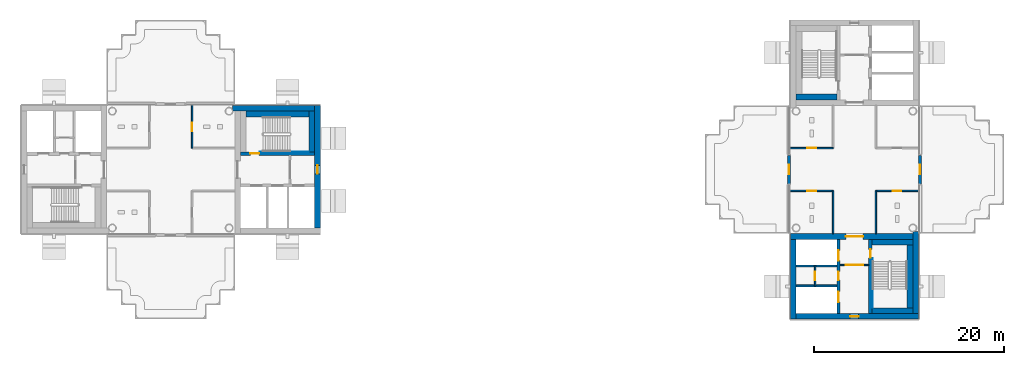
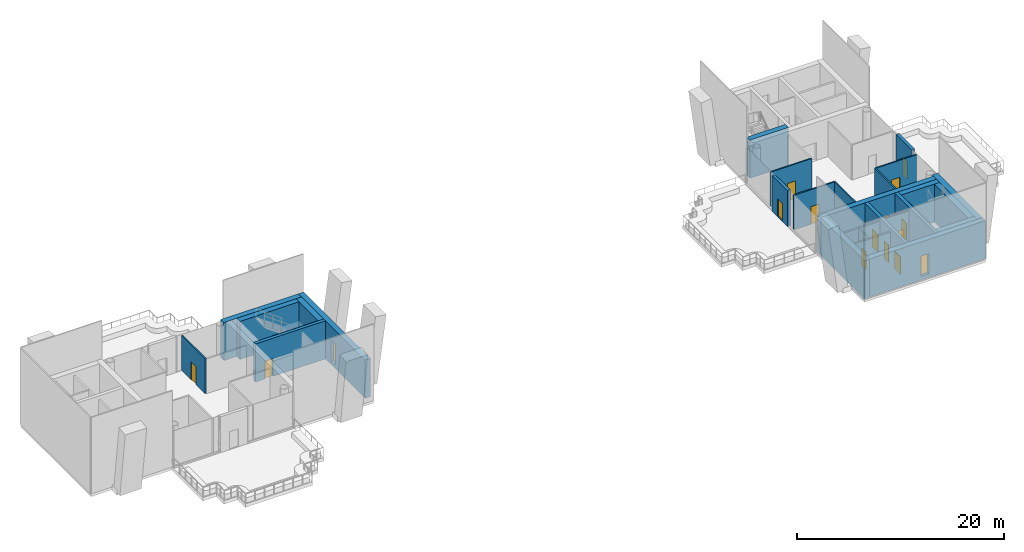
# One storey, part 8 of 17: 29 walls, 14 doors, 2 windows, 16 openings.
"""IFC4 building model written with IfcOpenShell, lengths in metres."""

from ifc_helpers import new_model, si_unit, direction, frame, frame_2d, origin, place, context, subcontext, project, spatial, rectangle, extrude, material, layer, layer_set, type_object, element, fill, save


model = new_model("IFC4")

# Units and contexts
model_context = context("Model", 3, precision=1e-05, world=origin(), true_north=direction((0.0, 1.0)))
body_context = subcontext(model_context, "Body", "Model", "MODEL_VIEW")
ifc_project = project(units=[si_unit("LENGTHUNIT", "METRE"), si_unit("AREAUNIT", "SQUARE_METRE"), si_unit("VOLUMEUNIT", "CUBIC_METRE"), si_unit("PLANEANGLEUNIT", "RADIAN"), si_unit("MASSUNIT", "GRAM", prefix="KILO")], contexts=[model_context])

# Site, building, storey
site_placement = place(None, origin())
site = spatial("IfcSite", under=ifc_project, at=site_placement, CompositionType="ELEMENT")
building_placement = place(site_placement, origin())
building = spatial("IfcBuilding", under=site, at=building_placement, Name="Ipe Terrace Towers", CompositionType="ELEMENT")
storey_placement = place(building_placement, frame((0.0, 0.0, 246.89990234375)))
storey = spatial("IfcBuildingStorey", under=building, at=storey_placement, Name="L68", CompositionType="ELEMENT", Elevation=246.89990234375)

# Wall, opening, door
ifc_material_1 = material(Name="Concrete C40/50 with buff precast cladding", Category="concrete")
ifc_layer_1 = layer(ifc_material_1, 0.320068359375)
ifc_layer_set_1 = layer_set([ifc_layer_1], Name="BUFF CLADDING WALL 320")
wall_type_1 = type_object("IfcWallType", Name="BUFF CLADDING WALL 320", PredefinedType="STANDARD", material=ifc_layer_set_1)
wall_1_placement = place(storey_placement, frame((42.909912109375, -1.5, -0.02001953125), z_axis=(0.0, 0.0, 1.0), x_axis=(0.0, 1.0, 0.0)))
wall_1 = element("IfcWall", 1, at=wall_1_placement, inside=storey, type_object=wall_type_1, Name="T2-W-L68-00c wall", PredefinedType="STANDARD", context=body_context, shape_type="SweptSolid", body=[
    extrude(rectangle(XDim=3.0, YDim=0.320068359375, at=frame_2d((1.5, 0.0))), origin(), (0.0, 0.0, 1.0), 4.22021484375),
])
opening_1_placement = place(wall_1_placement, frame((1.0, 0.0, 0.02001953125)))
opening_1 = element("IfcOpeningElement", 2, at=opening_1_placement, cuts=wall_1, Name="Opening T2-D-L68-00", PredefinedType="OPENING", context=body_context, shape_type="SweptSolid", body=[
    extrude(rectangle(XDim=1.0, YDim=2.10009765625, at=frame_2d((0.5, 1.050048828125))), frame((0.0, 0.169921875, 0.0), z_axis=(0.0, -1.0, 0.0), x_axis=(1.0, 0.0, 0.0)), (0.0, 0.0, 1.0), 0.340087890625),
])
ifc_material_2 = material(Name="Aluminium alloy 6063-T6 framed glazed door", Category="aluminium")
door_type_1 = type_object("IfcDoorType", Name="TERRACE DOOR 1000 x 2100", OperationType="SINGLE_SWING_LEFT", PredefinedType="DOOR", material=ifc_material_2)
door_1_placement = place(opening_1_placement, origin())
door_1 = element("IfcDoor", 3, at=door_1_placement, inside=storey, type_object=door_type_1, Name="DT1 door", OperationType="SINGLE_SWING_LEFT", OverallHeight=2.10009765625, OverallWidth=1.0, PredefinedType="DOOR", context=body_context, shape_type="SweptSolid", body=[
    extrude(rectangle(XDim=1.0, YDim=2.10009765625, at=frame_2d((0.5, 1.050048828125))), frame((0.0, 0.02490234375, 0.0), z_axis=(0.0, -1.0, 0.0), x_axis=(1.0, 0.0, 0.0)), (0.0, 0.0, 1.0), 0.050048828125),
])
fill(opening_1, door_1)

wall_2_placement = place(storey_placement, frame((29.090087890625, 1.5, -0.02001953125), z_axis=(0.0, 0.0, 1.0), x_axis=(0.0, -1.0, 0.0)))
wall_2 = element("IfcWall", 4, at=wall_2_placement, inside=storey, type_object=wall_type_1, Name="T2-W-L68-02c wall", PredefinedType="STANDARD", context=body_context, shape_type="SweptSolid", body=[
    extrude(rectangle(XDim=3.0, YDim=0.320068359375, at=frame_2d((1.5, 0.0))), origin(), (0.0, 0.0, 1.0), 4.22021484375),
])
opening_2_placement = place(wall_2_placement, frame((1.0, 0.0, 0.02001953125)))
opening_2 = element("IfcOpeningElement", 5, at=opening_2_placement, cuts=wall_2, Name="Opening T2-D-L68-02", PredefinedType="OPENING", context=body_context, shape_type="SweptSolid", body=[
    extrude(rectangle(XDim=1.0, YDim=2.10009765625, at=frame_2d((0.5, 1.050048828125))), frame((0.0, 0.169921875, 0.0), z_axis=(0.0, -1.0, 0.0), x_axis=(1.0, 0.0, 0.0)), (0.0, 0.0, 1.0), 0.340087890625),
])
door_2_placement = place(opening_2_placement, origin())
door_2 = element("IfcDoor", 6, at=door_2_placement, inside=storey, type_object=door_type_1, Name="DT1 door", OperationType="SINGLE_SWING_LEFT", OverallHeight=2.10009765625, OverallWidth=1.0, PredefinedType="DOOR", context=body_context, shape_type="SweptSolid", body=[
    extrude(rectangle(XDim=1.0, YDim=2.10009765625, at=frame_2d((0.5, 1.050048828125))), frame((0.0, 0.02490234375, 0.0), z_axis=(0.0, -1.0, 0.0), x_axis=(1.0, 0.0, 0.0)), (0.0, 0.0, 1.0), 0.050048828125),
])
fill(opening_2, door_2)

ifc_material_3 = material(Name="Gypsum board partition", Category="plasterboard")
ifc_layer_2 = layer(ifc_material_3, 0.14990234375)
ifc_layer_set_2 = layer_set([ifc_layer_2], Name="Gypsum board partition 150 mm")
wall_type_2 = type_object("IfcWallType", Name="Gypsum board partition 150 mm", PredefinedType="PARTITIONING", material=ifc_layer_set_2)
wall_3_placement = place(storey_placement, frame((-33.75, 2.25, 0.0), z_axis=(0.0, 0.0, 1.0), x_axis=(0.0, 1.0, 0.0)))
wall_3 = element("IfcWall", 7, at=wall_3_placement, inside=storey, type_object=wall_type_2, Name="Gypsum board partition T1 L68 sp-cne-x", PredefinedType="PARTITIONING", context=body_context, shape_type="SweptSolid", body=[
    extrude(rectangle(XDim=4.60009765625, YDim=0.14990234375, at=frame_2d((2.300048828125, 0.0))), origin(), (0.0, 0.0, 1.0), 4.10009765625),
])
opening_3_placement = place(wall_3_placement, frame((1.800048828125, 0.0, 0.0)))
opening_3 = element("IfcOpeningElement", 8, at=opening_3_placement, cuts=wall_3, Name="Opening T1-SP-CNE", PredefinedType="OPENING", context=body_context, shape_type="SweptSolid", body=[
    extrude(rectangle(XDim=0.89990234375, YDim=2.10009765625, at=frame_2d((0.449951171875, 1.050048828125))), frame((0.0, 0.0849609375, 0.0), z_axis=(0.0, -1.0, 0.0), x_axis=(1.0, 0.0, 0.0)), (0.0, 0.0, 1.0), 0.169921875),
])
ifc_material_4 = material(Name="Timber door leaf", Category="wood")
door_type_2 = type_object("IfcDoorType", Name="Bathroom door 900 x 2100", OperationType="NOTDEFINED", PredefinedType="DOOR", material=ifc_material_4)
door_3_placement = place(opening_3_placement, origin())
door_3 = element("IfcDoor", 9, at=door_3_placement, inside=storey, type_object=door_type_2, Name="Bathroom door T1-SP-CNE", OperationType="SINGLE_SWING_RIGHT", OverallHeight=2.10009765625, OverallWidth=0.89990234375, PredefinedType="DOOR", context=body_context, shape_type="SweptSolid", body=[
    extrude(rectangle(XDim=0.89990234375, YDim=2.10009765625, at=frame_2d((0.449951171875, 1.050048828125))), frame((0.0, 0.02490234375, 0.0), z_axis=(0.0, -1.0, 0.0), x_axis=(1.0, 0.0, 0.0)), (0.0, 0.0, 1.0), 0.050048828125),
])
fill(opening_3, door_3)

wall_4_placement = place(storey_placement, frame((34.5, -10.050048828125, 0.0), z_axis=(0.0, 0.0, 1.0), x_axis=(1.0, 0.0, 0.0)))
wall_4 = element("IfcWall", 10, at=wall_4_placement, inside=storey, type_object=wall_type_2, Name="Gypsum board partition T2 L68 t2c2-lobby-wall", PredefinedType="PARTITIONING", context=body_context, shape_type="SweptSolid", body=[
    extrude(rectangle(XDim=3.0, YDim=0.14990234375, at=frame_2d((1.5, 0.0))), origin(), (0.0, 0.0, 1.0), 4.10009765625),
])
opening_4_placement = place(wall_4_placement, frame((0.60009765625, 0.0, 0.0)))
opening_4 = element("IfcOpeningElement", 11, at=opening_4_placement, cuts=wall_4, Name="Opening T2C2-VD", PredefinedType="OPENING", context=body_context, shape_type="SweptSolid", body=[
    extrude(rectangle(XDim=1.800048828125, YDim=2.10009765625, at=frame_2d((0.89990234375, 1.050048828125))), frame((0.0, 0.0849609375, 0.0), z_axis=(0.0, -1.0, 0.0), x_axis=(1.0, 0.0, 0.0)), (0.0, 0.0, 1.0), 0.169921875),
])
ifc_material_5 = material(Name="Fire-rated timber door leaf", Category="wood")
door_type_3 = type_object("IfcDoorType", Name="Lobby door 1800 x 2100 FD60", OperationType="NOTDEFINED", PredefinedType="DOOR", material=ifc_material_5)
door_4_placement = place(opening_4_placement, origin())
door_4 = element("IfcDoor", 12, at=door_4_placement, inside=storey, type_object=door_type_3, Name="Lobby door T2C2-VD", OperationType="SINGLE_SWING_LEFT", OverallHeight=2.10009765625, OverallWidth=1.800048828125, PredefinedType="DOOR", context=body_context, shape_type="SweptSolid", body=[
    extrude(rectangle(XDim=1.800048828125, YDim=2.10009765625, at=frame_2d((0.89990234375, 1.050048828125))), frame((0.0, 0.02490234375, 0.0), z_axis=(0.0, -1.0, 0.0), x_axis=(1.0, 0.0, 0.0)), (0.0, 0.0, 1.0), 0.050048828125),
])
fill(opening_4, door_4)

wall_5_placement = place(storey_placement, frame((31.85009765625, -10.14990234375, 0.0), z_axis=(0.0, 0.0, 1.0), x_axis=(0.0, -1.0, 0.0)))
wall_5 = element("IfcWall", 13, at=wall_5_placement, inside=storey, type_object=wall_type_2, Name="Gypsum board partition T2 L68 t2c2-q-back", PredefinedType="PARTITIONING", context=body_context, shape_type="SweptSolid", body=[
    extrude(rectangle(XDim=2.10009765625, YDim=0.14990234375, at=frame_2d((1.050048828125, 0.0))), origin(), (0.0, 0.0, 1.0), 4.10009765625),
])
opening_5_placement = place(wall_5_placement, frame((0.60009765625, 0.0, 0.0)))
opening_5 = element("IfcOpeningElement", 14, at=opening_5_placement, cuts=wall_5, Name="Opening T2C2-RB", PredefinedType="OPENING", context=body_context, shape_type="SweptSolid", body=[
    extrude(rectangle(XDim=0.89990234375, YDim=2.10009765625, at=frame_2d((0.449951171875, 1.050048828125))), frame((0.0, 0.0849609375, 0.0), z_axis=(0.0, -1.0, 0.0), x_axis=(1.0, 0.0, 0.0)), (0.0, 0.0, 1.0), 0.169921875),
])
ifc_material_6 = material(Name="Fire-rated timber door leaf", Category="wood")
door_type_4 = type_object("IfcDoorType", Name="Service door 900 x 2100 FD60", OperationType="NOTDEFINED", PredefinedType="DOOR", material=ifc_material_6)
door_5_placement = place(opening_5_placement, origin())
door_5 = element("IfcDoor", 15, at=door_5_placement, inside=storey, type_object=door_type_4, Name="Service door T2C2-RB", OperationType="SINGLE_SWING_LEFT", OverallHeight=2.10009765625, OverallWidth=0.89990234375, PredefinedType="DOOR", context=body_context, shape_type="SweptSolid", body=[
    extrude(rectangle(XDim=0.89990234375, YDim=2.10009765625, at=frame_2d((0.449951171875, 1.050048828125))), frame((0.0, 0.02490234375, 0.0), z_axis=(0.0, -1.0, 0.0), x_axis=(1.0, 0.0, 0.0)), (0.0, 0.0, 1.0), 0.050048828125),
])
fill(opening_5, door_5)

wall_6_placement = place(storey_placement, frame((33.75, 2.25, 0.0), z_axis=(0.0, 0.0, 1.0), x_axis=(-1.0, 0.0, 0.0)))
wall_6 = element("IfcWall", 16, at=wall_6_placement, inside=storey, type_object=wall_type_2, Name="Gypsum board partition T2 L68 sp-cne-x", PredefinedType="PARTITIONING", context=body_context, shape_type="SweptSolid", body=[
    extrude(rectangle(XDim=4.60009765625, YDim=0.14990234375, at=frame_2d((2.300048828125, 0.0))), origin(), (0.0, 0.0, 1.0), 4.10009765625),
])
opening_6_placement = place(wall_6_placement, frame((1.800048828125, 0.0, 0.0)))
opening_6 = element("IfcOpeningElement", 17, at=opening_6_placement, cuts=wall_6, Name="Opening T2-SP-CNE", PredefinedType="OPENING", context=body_context, shape_type="SweptSolid", body=[
    extrude(rectangle(XDim=0.89990234375, YDim=2.10009765625, at=frame_2d((0.449951171875, 1.050048828125))), frame((0.0, 0.0849609375, 0.0), z_axis=(0.0, -1.0, 0.0), x_axis=(1.0, 0.0, 0.0)), (0.0, 0.0, 1.0), 0.169921875),
])
door_6_placement = place(opening_6_placement, origin())
door_6 = element("IfcDoor", 18, at=door_6_placement, inside=storey, type_object=door_type_2, Name="Bathroom door T2-SP-CNE", OperationType="SINGLE_SWING_RIGHT", OverallHeight=2.10009765625, OverallWidth=0.89990234375, PredefinedType="DOOR", context=body_context, shape_type="SweptSolid", body=[
    extrude(rectangle(XDim=0.89990234375, YDim=2.10009765625, at=frame_2d((0.449951171875, 1.050048828125))), frame((0.0, 0.02490234375, 0.0), z_axis=(0.0, -1.0, 0.0), x_axis=(1.0, 0.0, 0.0)), (0.0, 0.0, 1.0), 0.050048828125),
])
fill(opening_6, door_6)

wall_7_placement = place(storey_placement, frame((33.75, -2.25, 0.0), z_axis=(0.0, 0.0, 1.0), x_axis=(-1.0, 0.0, 0.0)))
wall_7 = element("IfcWall", 19, at=wall_7_placement, inside=storey, type_object=wall_type_2, Name="Gypsum board partition T2 L68 sp-cnw-x", PredefinedType="PARTITIONING", context=body_context, shape_type="SweptSolid", body=[
    extrude(rectangle(XDim=4.60009765625, YDim=0.14990234375, at=frame_2d((2.300048828125, 0.0))), origin(), (0.0, 0.0, 1.0), 4.10009765625),
])
opening_7_placement = place(wall_7_placement, frame((1.800048828125, 0.0, 0.0)))
opening_7 = element("IfcOpeningElement", 20, at=opening_7_placement, cuts=wall_7, Name="Opening T2-SP-CNW", PredefinedType="OPENING", context=body_context, shape_type="SweptSolid", body=[
    extrude(rectangle(XDim=0.89990234375, YDim=2.10009765625, at=frame_2d((0.449951171875, 1.050048828125))), frame((0.0, 0.0849609375, 0.0), z_axis=(0.0, -1.0, 0.0), x_axis=(1.0, 0.0, 0.0)), (0.0, 0.0, 1.0), 0.169921875),
])
door_7_placement = place(opening_7_placement, origin())
door_7 = element("IfcDoor", 21, at=door_7_placement, inside=storey, type_object=door_type_2, Name="Bathroom door T2-SP-CNW", OperationType="SINGLE_SWING_LEFT", OverallHeight=2.10009765625, OverallWidth=0.89990234375, PredefinedType="DOOR", context=body_context, shape_type="SweptSolid", body=[
    extrude(rectangle(XDim=0.89990234375, YDim=2.10009765625, at=frame_2d((0.449951171875, 1.050048828125))), frame((0.0, 0.02490234375, 0.0), z_axis=(0.0, -1.0, 0.0), x_axis=(1.0, 0.0, 0.0)), (0.0, 0.0, 1.0), 0.050048828125),
])
fill(opening_7, door_7)

# Wall
wall_8_placement = place(storey_placement, frame((33.75, -6.75, 0.0), z_axis=(0.0, 0.0, 1.0), x_axis=(0.0, 1.0, 0.0)))
element("IfcWall", 22, at=wall_8_placement, inside=storey, type_object=wall_type_2, Name="Gypsum board partition T2 L68 sp-cnw-y", PredefinedType="PARTITIONING", context=body_context, shape_type="SweptSolid", body=[
    extrude(rectangle(XDim=4.5, YDim=0.14990234375, at=frame_2d((2.25, 0.0))), origin(), (0.0, 0.0, 1.0), 4.10009765625),
])

# Wall, opening, door
wall_9_placement = place(storey_placement, frame((42.85009765625, -2.25, 0.0), z_axis=(0.0, 0.0, 1.0), x_axis=(-1.0, 0.0, 0.0)))
wall_9 = element("IfcWall", 23, at=wall_9_placement, inside=storey, type_object=wall_type_2, Name="Gypsum board partition T2 L68 sp-csw-x", PredefinedType="PARTITIONING", context=body_context, shape_type="SweptSolid", body=[
    extrude(rectangle(XDim=4.60009765625, YDim=0.14990234375, at=frame_2d((2.300048828125, 0.0))), origin(), (0.0, 0.0, 1.0), 4.10009765625),
])
opening_8_placement = place(wall_9_placement, frame((1.89990234375, 0.0, 0.0)))
opening_8 = element("IfcOpeningElement", 24, at=opening_8_placement, cuts=wall_9, Name="Opening T2-SP-CSW", PredefinedType="OPENING", context=body_context, shape_type="SweptSolid", body=[
    extrude(rectangle(XDim=0.89990234375, YDim=2.10009765625, at=frame_2d((0.449951171875, 1.050048828125))), frame((0.0, 0.0849609375, 0.0), z_axis=(0.0, -1.0, 0.0), x_axis=(1.0, 0.0, 0.0)), (0.0, 0.0, 1.0), 0.169921875),
])
door_8_placement = place(opening_8_placement, origin())
door_8 = element("IfcDoor", 25, at=door_8_placement, inside=storey, type_object=door_type_2, Name="Bathroom door T2-SP-CSW", OperationType="SINGLE_SWING_LEFT", OverallHeight=2.10009765625, OverallWidth=0.89990234375, PredefinedType="DOOR", context=body_context, shape_type="SweptSolid", body=[
    extrude(rectangle(XDim=0.89990234375, YDim=2.10009765625, at=frame_2d((0.449951171875, 1.050048828125))), frame((0.0, 0.02490234375, 0.0), z_axis=(0.0, -1.0, 0.0), x_axis=(1.0, 0.0, 0.0)), (0.0, 0.0, 1.0), 0.050048828125),
])
fill(opening_8, door_8)

# Walls
wall_10_placement = place(storey_placement, frame((38.25, -6.75, 0.0), z_axis=(0.0, 0.0, 1.0), x_axis=(0.0, 1.0, 0.0)))
element("IfcWall", 26, at=wall_10_placement, inside=storey, type_object=wall_type_2, Name="Gypsum board partition T2 L68 sp-csw-y", PredefinedType="PARTITIONING", context=body_context, shape_type="SweptSolid", body=[
    extrude(rectangle(XDim=4.5, YDim=0.14990234375, at=frame_2d((2.25, 0.0))), origin(), (0.0, 0.0, 1.0), 4.10009765625),
])
ifc_material_7 = material(Name="Gypsum board party wall", Category="plasterboard")
ifc_layer_3 = layer(ifc_material_7, 0.199951171875)
ifc_layer_set_3 = layer_set([ifc_layer_3], Name="Gypsum board party wall 200 mm")
wall_type_3 = type_object("IfcWallType", Name="Gypsum board party wall 200 mm", PredefinedType="SOLIDWALL", material=ifc_layer_set_3)
for number, where, z_axis, x_axis, name in (
    (27, (29.85009765625, -12.25, 0.0), (0.0, 0.0, 1.0), (1.0, 0.0, 0.0), "Gypsum board party wall T2 L68 t2c2-shaft-div2"),
    (28, (29.85009765625, -10.14990234375, 0.0), (0.0, 0.0, 1.0), (1.0, 0.0, 0.0), "Gypsum board party wall T2 L68 t2c2-shaft-div1"),
):
    element("IfcWall", number, at=place(storey_placement, frame(where, z_axis=z_axis, x_axis=x_axis)), inside=storey, type_object=wall_type_3, Name=name, PredefinedType="SOLIDWALL", context=body_context, shape_type="SweptSolid", body=[
        extrude(rectangle(XDim=4.2998046875, YDim=0.199951171875, at=frame_2d((2.14990234375, 0.0))), origin(), (0.0, 0.0, 1.0), 4.10009765625),
    ])

# Wall, opening, door
ifc_material_8 = material(Name="Concrete C40/50", Category="concrete")
ifc_layer_4 = layer(ifc_material_8, 0.35009765625)
ifc_layer_set_4 = layer_set([ifc_layer_4], Name="RW350 CORE SPINE WALL 350 C40-50")
wall_type_4 = type_object("IfcWallType", Name="RW350 CORE SPINE WALL 350 C40-50", PredefinedType="SHEAR", material=ifc_layer_set_4)
wall_11_placement = place(storey_placement, frame((-28.64990234375, 1.675048828125, 0.0), z_axis=(0.0, 0.0, 1.0), x_axis=(1.0, 0.0, 0.0)))
wall_11 = element("IfcWall", 29, at=wall_11_placement, inside=storey, type_object=wall_type_4, Name="Core spine wall T1-C1-Z4-SW2", PredefinedType="SHEAR", context=body_context, shape_type="SweptSolid", body=[
    extrude(rectangle(XDim=7.7998046875, YDim=0.35009765625, at=frame_2d((3.89990234375, 0.0))), origin(), (0.0, 0.0, 1.0), 4.5),
])
opening_9_placement = place(wall_11_placement, frame((1.050048828125, 0.0, 0.0)))
opening_9 = element("IfcOpeningElement", 30, at=opening_9_placement, cuts=wall_11, Name="Opening T1C1-SD", PredefinedType="OPENING", context=body_context, shape_type="SweptSolid", body=[
    extrude(rectangle(XDim=0.89990234375, YDim=2.10009765625, at=frame_2d((0.449951171875, 1.050048828125))), frame((0.0, 0.18505859375, 0.0), z_axis=(0.0, -1.0, 0.0), x_axis=(1.0, 0.0, 0.0)), (0.0, 0.0, 1.0), 0.3701171875),
])
ifc_material_9 = material(Name="Fire-rated timber door leaf", Category="wood")
door_type_5 = type_object("IfcDoorType", Name="Stair door 900 x 2100 FD60", OperationType="NOTDEFINED", PredefinedType="DOOR", material=ifc_material_9)
door_9_placement = place(opening_9_placement, origin())
door_9 = element("IfcDoor", 31, at=door_9_placement, inside=storey, type_object=door_type_5, Name="Stair door T1C1-SD", OperationType="SINGLE_SWING_LEFT", OverallHeight=2.10009765625, OverallWidth=0.89990234375, PredefinedType="DOOR", context=body_context, shape_type="SweptSolid", body=[
    extrude(rectangle(XDim=0.89990234375, YDim=2.10009765625, at=frame_2d((0.449951171875, 1.050048828125))), frame((0.0, 0.02490234375, 0.0), z_axis=(0.0, -1.0, 0.0), x_axis=(1.0, 0.0, 0.0)), (0.0, 0.0, 1.0), 0.050048828125),
])
fill(opening_9, door_9)

# Wall, openings, doors
wall_12_placement = place(storey_placement, frame((34.324951171875, -15.14990234375, 0.0), z_axis=(0.0, 0.0, 1.0), x_axis=(0.0, 1.0, 0.0)))
wall_12 = element("IfcWall", 32, at=wall_12_placement, inside=storey, type_object=wall_type_4, Name="Core spine wall T2-C2-Z4-SW1", PredefinedType="SHEAR", context=body_context, shape_type="SweptSolid", body=[
    extrude(rectangle(XDim=7.7998046875, YDim=0.35009765625, at=frame_2d((3.89990234375, 0.0))), origin(), (0.0, 0.0, 1.0), 4.5),
])
opening_10_placement = place(wall_12_placement, frame((5.550048828125, 0.0, 0.0)))
opening_10 = element("IfcOpeningElement", 33, at=opening_10_placement, cuts=wall_12, Name="Opening T2C2-LD1", PredefinedType="OPENING", context=body_context, shape_type="SweptSolid", body=[
    extrude(rectangle(XDim=1.10009765625, YDim=2.10009765625, at=frame_2d((0.550048828125, 1.050048828125))), frame((0.0, 0.18505859375, 0.0), z_axis=(0.0, -1.0, 0.0), x_axis=(1.0, 0.0, 0.0)), (0.0, 0.0, 1.0), 0.3701171875),
])
opening_11_placement = place(wall_12_placement, frame((1.199951171875, 0.0, 0.0)))
opening_11 = element("IfcOpeningElement", 34, at=opening_11_placement, cuts=wall_12, Name="Opening T2C2-LD3", PredefinedType="OPENING", context=body_context, shape_type="SweptSolid", body=[
    extrude(rectangle(XDim=1.10009765625, YDim=2.10009765625, at=frame_2d((0.550048828125, 1.050048828125))), frame((0.0, 0.18505859375, 0.0), z_axis=(0.0, -1.0, 0.0), x_axis=(1.0, 0.0, 0.0)), (0.0, 0.0, 1.0), 0.3701171875),
])
opening_12_placement = place(wall_12_placement, frame((3.5, 0.0, 0.0)))
opening_12 = element("IfcOpeningElement", 35, at=opening_12_placement, cuts=wall_12, Name="Opening T2C2-R1", PredefinedType="OPENING", context=body_context, shape_type="SweptSolid", body=[
    extrude(rectangle(XDim=0.89990234375, YDim=2.10009765625, at=frame_2d((0.449951171875, 1.050048828125))), frame((0.0, 0.18505859375, 0.0), z_axis=(0.0, -1.0, 0.0), x_axis=(1.0, 0.0, 0.0)), (0.0, 0.0, 1.0), 0.3701171875),
])
ifc_material_10 = material(Name="Fire-rated timber door leaf", Category="wood")
door_type_6 = type_object("IfcDoorType", Name="Sliding door 1100 x 2100 FD60", OperationType="SLIDING_TO_LEFT", PredefinedType="DOOR", material=ifc_material_10)
door_10_placement = place(opening_10_placement, origin())
door_10 = element("IfcDoor", 36, at=door_10_placement, inside=storey, type_object=door_type_6, Name="Sliding door T2C2-LD1", OperationType="SLIDING_TO_LEFT", OverallHeight=2.10009765625, OverallWidth=1.10009765625, PredefinedType="DOOR", context=body_context, shape_type="SweptSolid", body=[
    extrude(rectangle(XDim=1.10009765625, YDim=2.10009765625, at=frame_2d((0.550048828125, 1.050048828125))), frame((0.0, 0.02490234375, 0.0), z_axis=(0.0, -1.0, 0.0), x_axis=(1.0, 0.0, 0.0)), (0.0, 0.0, 1.0), 0.050048828125),
])
fill(opening_10, door_10)
door_11_placement = place(opening_11_placement, origin())
door_11 = element("IfcDoor", 37, at=door_11_placement, inside=storey, type_object=door_type_6, Name="Sliding door T2C2-LD3", OperationType="SLIDING_TO_LEFT", OverallHeight=2.10009765625, OverallWidth=1.10009765625, PredefinedType="DOOR", context=body_context, shape_type="SweptSolid", body=[
    extrude(rectangle(XDim=1.10009765625, YDim=2.10009765625, at=frame_2d((0.550048828125, 1.050048828125))), frame((0.0, 0.02490234375, 0.0), z_axis=(0.0, -1.0, 0.0), x_axis=(1.0, 0.0, 0.0)), (0.0, 0.0, 1.0), 0.050048828125),
])
fill(opening_11, door_11)
ifc_material_11 = material(Name="Timber door leaf", Category="wood")
door_type_7 = type_object("IfcDoorType", Name="Store door 900 x 2100", OperationType="NOTDEFINED", PredefinedType="DOOR", material=ifc_material_11)
door_12_placement = place(opening_12_placement, origin())
door_12 = element("IfcDoor", 38, at=door_12_placement, inside=storey, type_object=door_type_7, Name="Store door T2C2-R1", OperationType="SINGLE_SWING_LEFT", OverallHeight=2.10009765625, OverallWidth=0.89990234375, PredefinedType="DOOR", context=body_context, shape_type="SweptSolid", body=[
    extrude(rectangle(XDim=0.89990234375, YDim=2.10009765625, at=frame_2d((0.449951171875, 1.050048828125))), frame((0.0, 0.02490234375, 0.0), z_axis=(0.0, -1.0, 0.0), x_axis=(1.0, 0.0, 0.0)), (0.0, 0.0, 1.0), 0.050048828125),
])
fill(opening_12, door_12)

# Wall, opening, door
wall_13_placement = place(storey_placement, frame((37.675048828125, -15.14990234375, 0.0), z_axis=(0.0, 0.0, 1.0), x_axis=(0.0, 1.0, 0.0)))
wall_13 = element("IfcWall", 39, at=wall_13_placement, inside=storey, type_object=wall_type_4, Name="Core spine wall T2-C2-Z4-SW2", PredefinedType="SHEAR", context=body_context, shape_type="SweptSolid", body=[
    extrude(rectangle(XDim=7.7998046875, YDim=0.35009765625, at=frame_2d((3.89990234375, 0.0))), origin(), (0.0, 0.0, 1.0), 4.5),
])
opening_13_placement = place(wall_13_placement, frame((5.85009765625, 0.0, 0.0)))
opening_13 = element("IfcOpeningElement", 40, at=opening_13_placement, cuts=wall_13, Name="Opening T2C2-SD", PredefinedType="OPENING", context=body_context, shape_type="SweptSolid", body=[
    extrude(rectangle(XDim=0.89990234375, YDim=2.10009765625, at=frame_2d((0.449951171875, 1.050048828125))), frame((0.0, 0.18505859375, 0.0), z_axis=(0.0, -1.0, 0.0), x_axis=(1.0, 0.0, 0.0)), (0.0, 0.0, 1.0), 0.3701171875),
])
door_13_placement = place(opening_13_placement, origin())
door_13 = element("IfcDoor", 41, at=door_13_placement, inside=storey, type_object=door_type_5, Name="Stair door T2C2-SD", OperationType="SINGLE_SWING_RIGHT", OverallHeight=2.10009765625, OverallWidth=0.89990234375, PredefinedType="DOOR", context=body_context, shape_type="SweptSolid", body=[
    extrude(rectangle(XDim=0.89990234375, YDim=2.10009765625, at=frame_2d((0.449951171875, 1.050048828125))), frame((0.0, 0.02490234375, 0.0), z_axis=(0.0, -1.0, 0.0), x_axis=(1.0, 0.0, 0.0)), (0.0, 0.0, 1.0), 0.050048828125),
])
fill(opening_13, door_13)

# Walls
ifc_material_12 = material(Name="Concrete C40/50", Category="concrete")
ifc_layer_5 = layer(ifc_material_12, 0.050048828125)
ifc_layer_set_5 = layer_set([ifc_layer_5], Name="RW50 CORE INFILL WALL 50 C40-50")
wall_type_5 = type_object("IfcWallType", Name="RW50 CORE INFILL WALL 50 C40-50", PredefinedType="SHEAR", material=ifc_layer_set_5)
for number, where, z_axis, x_axis, name in (
    (42, (-26.64990234375, 1.875, 0.0), (0.0, 0.0, 1.0), (1.0, 0.0, 0.0), "Core infill wall T1-C1-spine-b"),
    (43, (37.875, -9.35009765625, 0.0), (0.0, 0.0, 1.0), (0.0, -1.0, 0.0), "Core infill wall T2-C2-spine-b"),
):
    element("IfcWall", number, at=place(storey_placement, frame(where, z_axis=z_axis, x_axis=x_axis)), inside=storey, type_object=wall_type_5, Name=name, PredefinedType="SHEAR", context=body_context, shape_type="SweptSolid", body=[
        extrude(rectangle(XDim=5.199951171875, YDim=0.050048828125, at=frame_2d((2.60009765625, 0.0))), origin(), (0.0, 0.0, 1.0), 4.5),
    ])
ifc_material_13 = material(Name="Concrete C40/50", Category="concrete")
ifc_layer_6 = layer(ifc_material_13, 0.60009765625)
ifc_layer_set_6 = layer_set([ifc_layer_6], Name="RW600 CORE INFILL WALL 600 C40-50")
wall_type_6 = type_object("IfcWallType", Name="RW600 CORE INFILL WALL 600 C40-50", PredefinedType="SHEAR", material=ifc_layer_set_6)
wall_14_placement = place(storey_placement, frame((-21.14990234375, 1.85009765625, 0.0), z_axis=(0.0, 0.0, 1.0), x_axis=(0.0, 1.0, 0.0)))
element("IfcWall", 44, at=wall_14_placement, inside=storey, type_object=wall_type_6, Name="Core infill wall T1-C1-far", PredefinedType="SHEAR", context=body_context, shape_type="SweptSolid", body=[
    extrude(rectangle(XDim=4.2998046875, YDim=0.60009765625, at=frame_2d((2.14990234375, 0.0))), origin(), (0.0, 0.0, 1.0), 4.5),
])
wall_15_placement = place(storey_placement, frame((-28.050048828125, 5.85009765625, 0.0), z_axis=(0.0, 0.0, 1.0), x_axis=(1.0, 0.0, 0.0)))
element("IfcWall", 45, at=wall_15_placement, inside=storey, type_object=wall_type_6, Name="Core infill wall T1-C1-back", PredefinedType="SHEAR", context=body_context, shape_type="SweptSolid", body=[
    extrude(rectangle(XDim=6.60009765625, YDim=0.60009765625, at=frame_2d((3.300048828125, 0.0))), origin(), (0.0, 0.0, 1.0), 4.5),
])
for number, where, z_axis, x_axis, name in (
    (46, (34.14990234375, 7.64990234375, 0.0), (0.0, 0.0, 1.0), (-1.0, 0.0, 0.0), "Core infill wall T2-C1-near"),
    (47, (37.85009765625, -14.85009765625, 0.0), (0.0, 0.0, 1.0), (1.0, 0.0, 0.0), "Core infill wall T2-C2-far"),
):
    element("IfcWall", number, at=place(storey_placement, frame(where, z_axis=z_axis, x_axis=x_axis)), inside=storey, type_object=wall_type_6, Name=name, PredefinedType="SHEAR", context=body_context, shape_type="SweptSolid", body=[
        extrude(rectangle(XDim=4.2998046875, YDim=0.60009765625, at=frame_2d((2.14990234375, 0.0))), origin(), (0.0, 0.0, 1.0), 4.5),
    ])
wall_16_placement = place(storey_placement, frame((41.85009765625, -7.949951171875, 0.0), z_axis=(0.0, 0.0, 1.0), x_axis=(0.0, -1.0, 0.0)))
element("IfcWall", 48, at=wall_16_placement, inside=storey, type_object=wall_type_6, Name="Core infill wall T2-C2-back", PredefinedType="SHEAR", context=body_context, shape_type="SweptSolid", body=[
    extrude(rectangle(XDim=6.60009765625, YDim=0.60009765625, at=frame_2d((3.300048828125, 0.0))), origin(), (0.0, 0.0, 1.0), 4.5),
])
wall_17_placement = place(storey_placement, frame((37.85009765625, -7.64990234375, 0.0), z_axis=(0.0, 0.0, 1.0), x_axis=(1.0, 0.0, 0.0)))
element("IfcWall", 49, at=wall_17_placement, inside=storey, type_object=wall_type_6, Name="Core infill wall T2-C2-near", PredefinedType="SHEAR", context=body_context, shape_type="SweptSolid", body=[
    extrude(rectangle(XDim=4.2998046875, YDim=0.60009765625, at=frame_2d((2.14990234375, 0.0))), origin(), (0.0, 0.0, 1.0), 4.5),
])

# Wall, opening, window
ifc_material_14 = material(Name="Concrete C40/50", Category="concrete")
ifc_layer_7 = layer(ifc_material_14, 0.60009765625)
ifc_layer_set_7 = layer_set([ifc_layer_7], Name="RW600 CORE WALL 600 C40-50")
wall_type_7 = type_object("IfcWallType", Name="RW600 CORE WALL 600 C40-50", PredefinedType="SHEAR", material=ifc_layer_set_7)
wall_18_placement = place(storey_placement, frame((-20.550048828125, -6.14990234375, 0.0), z_axis=(0.0, 0.0, 1.0), x_axis=(0.0, 1.0, 0.0)))
wall_18 = element("IfcWall", 50, at=wall_18_placement, inside=storey, type_object=wall_type_7, Name="Core wall T1-C1-Z4-W02", PredefinedType="SHEAR", context=body_context, shape_type="SweptSolid", body=[
    extrude(rectangle(XDim=12.89990234375, YDim=0.60009765625, at=frame_2d((6.449951171875, 0.0))), origin(), (0.0, 0.0, 1.0), 4.5),
])
opening_14_placement = place(wall_18_placement, frame((5.699951171875, 0.0, 0.449951171875)))
opening_14 = element("IfcOpeningElement", 51, at=opening_14_placement, cuts=wall_18, Name="Opening T1-C1-W-01-L68", PredefinedType="OPENING", context=body_context, shape_type="SweptSolid", body=[
    extrude(rectangle(XDim=0.89990234375, YDim=2.39990234375, at=frame_2d((0.449951171875, 1.199951171875))), frame((0.0, 0.31005859375, 0.0), z_axis=(0.0, -1.0, 0.0), x_axis=(1.0, 0.0, 0.0)), (0.0, 0.0, 1.0), 0.6201171875),
])
ifc_material_15 = material(Name="Fire-resistant glazing EI 60", Category="glass")
window_type = type_object("IfcWindowType", Name="CORRIDOR END SLOT WINDOW 900 x 2400 EI 60", PartitioningType="SINGLE_PANEL", PredefinedType="WINDOW", material=ifc_material_15)
window_1_placement = place(opening_14_placement, origin())
window_1 = element("IfcWindow", 52, at=window_1_placement, inside=storey, type_object=window_type, Name="W-01 window", OverallHeight=2.39990234375, OverallWidth=0.89990234375, PartitioningType="SINGLE_PANEL", PredefinedType="WINDOW", context=body_context, shape_type="SweptSolid", body=[
    extrude(rectangle(XDim=0.89990234375, YDim=2.39990234375, at=frame_2d((0.449951171875, 1.199951171875))), frame((0.0, 0.030029296875, 0.0), z_axis=(0.0, -1.0, 0.0), x_axis=(1.0, 0.0, 0.0)), (0.0, 0.0, 1.0), 0.06005859375),
])
fill(opening_14, window_1)

# Wall
wall_19_placement = place(storey_placement, frame((-20.85009765625, 6.449951171875, 0.0), z_axis=(0.0, 0.0, 1.0), x_axis=(-1.0, 0.0, 0.0)))
element("IfcWall", 53, at=wall_19_placement, inside=storey, type_object=wall_type_7, Name="Core wall T1-C1-Z4-W03", PredefinedType="SHEAR", context=body_context, shape_type="SweptSolid", body=[
    extrude(rectangle(XDim=8.64794921875, YDim=0.60009765625, at=frame_2d((4.323974609375, 0.0))), origin(), (0.0, 0.0, 1.0), 4.5),
])

# Wall, opening, window
wall_20_placement = place(storey_placement, frame((29.85009765625, -15.449951171875, 0.0), z_axis=(0.0, 0.0, 1.0), x_axis=(1.0, 0.0, 0.0)))
wall_20 = element("IfcWall", 54, at=wall_20_placement, inside=storey, type_object=wall_type_7, Name="Core wall T2-C2-Z4-W01", PredefinedType="SHEAR", context=body_context, shape_type="SweptSolid", body=[
    extrude(rectangle(XDim=12.89990234375, YDim=0.60009765625, at=frame_2d((6.449951171875, 0.0))), origin(), (0.0, 0.0, 1.0), 4.5),
])
opening_15_placement = place(wall_20_placement, frame((5.699951171875, 0.0, 0.449951171875)))
opening_15 = element("IfcOpeningElement", 55, at=opening_15_placement, cuts=wall_20, Name="Opening T2-C2-W-01-L68", PredefinedType="OPENING", context=body_context, shape_type="SweptSolid", body=[
    extrude(rectangle(XDim=0.89990234375, YDim=2.39990234375, at=frame_2d((0.449951171875, 1.199951171875))), frame((0.0, 0.31005859375, 0.0), z_axis=(0.0, -1.0, 0.0), x_axis=(1.0, 0.0, 0.0)), (0.0, 0.0, 1.0), 0.6201171875),
])
window_2_placement = place(opening_15_placement, origin())
window_2 = element("IfcWindow", 56, at=window_2_placement, inside=storey, type_object=window_type, Name="W-01 window", OverallHeight=2.39990234375, OverallWidth=0.89990234375, PartitioningType="SINGLE_PANEL", PredefinedType="WINDOW", context=body_context, shape_type="SweptSolid", body=[
    extrude(rectangle(XDim=0.89990234375, YDim=2.39990234375, at=frame_2d((0.449951171875, 1.199951171875))), frame((0.0, 0.030029296875, 0.0), z_axis=(0.0, -1.0, 0.0), x_axis=(1.0, 0.0, 0.0)), (0.0, 0.0, 1.0), 0.06005859375),
])
fill(opening_15, window_2)

# Wall
wall_21_placement = place(storey_placement, frame((42.449951171875, -15.14990234375, 0.0), z_axis=(0.0, 0.0, 1.0), x_axis=(0.0, 1.0, 0.0)))
element("IfcWall", 57, at=wall_21_placement, inside=storey, type_object=wall_type_7, Name="Core wall T2-C2-Z4-W02", PredefinedType="SHEAR", context=body_context, shape_type="SweptSolid", body=[
    extrude(rectangle(XDim=8.64794921875, YDim=0.60009765625, at=frame_2d((4.323974609375, 0.0))), origin(), (0.0, 0.0, 1.0), 4.5),
])

# Wall, opening, door
wall_22_placement = place(storey_placement, frame((42.14990234375, -7.050048828125, 0.0), z_axis=(0.0, 0.0, 1.0), x_axis=(-1.0, 0.0, 0.0)))
wall_22 = element("IfcWall", 58, at=wall_22_placement, inside=storey, type_object=wall_type_7, Name="Core wall T2-C2-Z4-W03", PredefinedType="SHEAR", context=body_context, shape_type="SweptSolid", body=[
    extrude(rectangle(XDim=12.89990234375, YDim=0.60009765625, at=frame_2d((6.449951171875, 0.0))), origin(), (0.0, 0.0, 1.0), 4.5),
])
opening_16_placement = place(wall_22_placement, frame((5.25, 0.0, 0.0)))
opening_16 = element("IfcOpeningElement", 59, at=opening_16_placement, cuts=wall_22, Name="Opening T2C2-ND", PredefinedType="OPENING", context=body_context, shape_type="SweptSolid", body=[
    extrude(rectangle(XDim=1.800048828125, YDim=2.10009765625, at=frame_2d((0.89990234375, 1.050048828125))), frame((0.0, 0.31005859375, 0.0), z_axis=(0.0, -1.0, 0.0), x_axis=(1.0, 0.0, 0.0)), (0.0, 0.0, 1.0), 0.6201171875),
])
ifc_material_16 = material(Name="Fire-rated timber door leaf", Category="wood")
door_type_8 = type_object("IfcDoorType", Name="Fire door 1800 x 2100 FD30S", OperationType="NOTDEFINED", PredefinedType="DOOR", material=ifc_material_16)
door_14_placement = place(opening_16_placement, origin())
door_14 = element("IfcDoor", 60, at=door_14_placement, inside=storey, type_object=door_type_8, Name="Fire door T2C2-ND", OperationType="SINGLE_SWING_LEFT", OverallHeight=2.10009765625, OverallWidth=1.800048828125, PredefinedType="DOOR", context=body_context, shape_type="SweptSolid", body=[
    extrude(rectangle(XDim=1.800048828125, YDim=2.10009765625, at=frame_2d((0.89990234375, 1.050048828125))), frame((0.0, 0.02490234375, 0.0), z_axis=(0.0, -1.0, 0.0), x_axis=(1.0, 0.0, 0.0)), (0.0, 0.0, 1.0), 0.050048828125),
])
fill(opening_16, door_14)

# Wall
wall_23_placement = place(storey_placement, frame((29.550048828125, -7.35009765625, 0.0), z_axis=(0.0, 0.0, 1.0), x_axis=(0.0, -1.0, 0.0)))
element("IfcWall", 61, at=wall_23_placement, inside=storey, type_object=wall_type_7, Name="Core wall T2-C2-Z4-W04", PredefinedType="SHEAR", context=body_context, shape_type="SweptSolid", body=[
    extrude(rectangle(XDim=8.39990234375, YDim=0.60009765625, at=frame_2d((4.199951171875, 0.0))), origin(), (0.0, 0.0, 1.0), 4.5),
])

save(model, "model.ifc")
